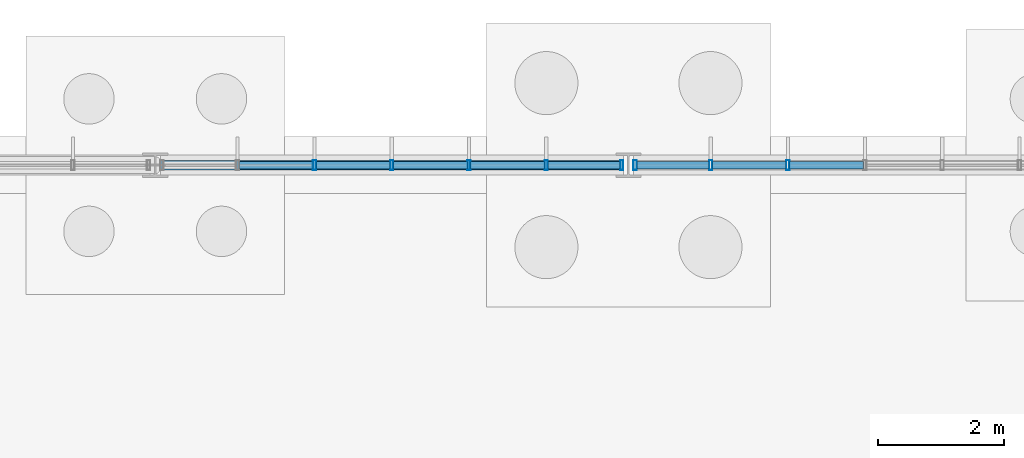
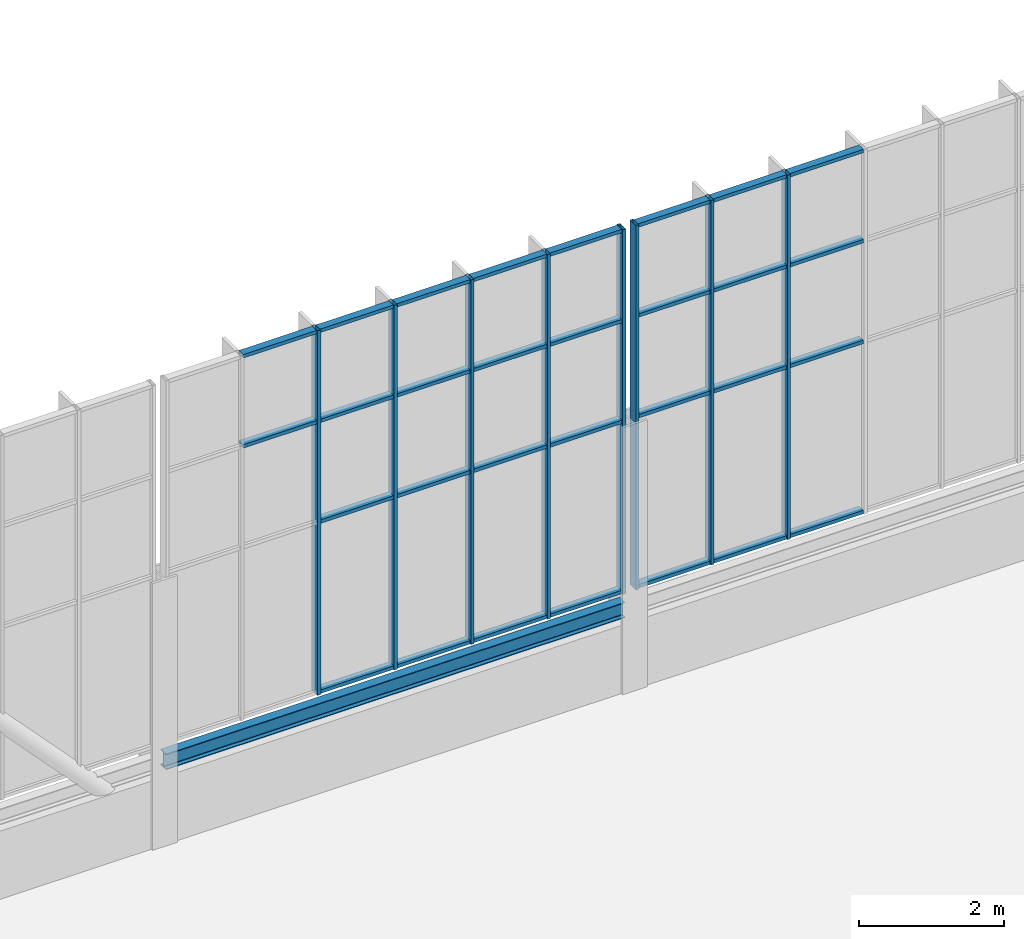
# One storey, part 54 of 136: 38 members, 1 beam, 2 elements without a shape of their own.
"""IFC4 building model written with IfcOpenShell, lengths in metres."""

from ifc_helpers import new_model, si_unit, direction, frame, origin, origin_2d, place, context, subcontext, project, spatial, hollow_rectangle, i_section, extrude, material, layer, layer_set, material_profile, profile_set, type_object, element, aggregate, save


model = new_model("IFC4")

# Units and contexts
model_context = context("Model", 3, precision=1e-05, world=origin(), true_north=direction((0.0, 1.0)))
body_context = subcontext(model_context, "Body", "Model", "MODEL_VIEW")
ifc_project = project(units=[si_unit("LENGTHUNIT", "METRE"), si_unit("AREAUNIT", "SQUARE_METRE"), si_unit("VOLUMEUNIT", "CUBIC_METRE"), si_unit("PLANEANGLEUNIT", "RADIAN"), si_unit("MASSUNIT", "GRAM", prefix="KILO")], contexts=[model_context])

# Site, building, storey
site_placement = place(None, origin())
site = spatial("IfcSite", under=ifc_project, at=site_placement, CompositionType="ELEMENT")
building_placement = place(site_placement, origin())
building = spatial("IfcBuilding", under=site, at=building_placement, Name="Solvenia Promenade Tram Depot", CompositionType="ELEMENT")
storey_placement = place(building_placement, origin())
storey = spatial("IfcBuildingStorey", under=building, at=storey_placement, Name="L00", CompositionType="ELEMENT", Elevation=0.0)

# Curtain wall, members
ifc_material_1 = material(Name="Anodized aluminium AW-6063 T6", Category="aluminium")
ifc_layer = layer(ifc_material_1, 0.159912109375, Name="Anodized aluminium AW-6063 T6", Category="aluminium")
ifc_layer_set = layer_set([ifc_layer], Name="Anodized aluminium AW-6063 T6")
curtain_wall_type = type_object("IfcCurtainWallType", Name="CW-Channel-1200", PredefinedType="NOTDEFINED", material=ifc_layer_set)
curtain_wall_1_placement = place(storey_placement, origin())
curtain_wall_1 = element("IfcCurtainWall", 1, at=curtain_wall_1_placement, inside=storey, type_object=curtain_wall_type, Name="North Translucent Channel-Glass Wall 02", PredefinedType="NOTDEFINED")
ifc_material_profile_1 = material_profile(ifc_material_1, hollow_rectangle(XDim=0.159912109375, YDim=0.052001953125, WallThickness=0.00390625, at=origin_2d()), Name="ALU-M1", Category="aluminium")
ifc_profile_set_1 = profile_set([ifc_material_profile_1], Name="Anodized aluminium AW-6063 T6")
member_type_1 = type_object("IfcMemberType", Name="CWM-Mullion-1", PredefinedType="MULLION", material=ifc_profile_set_1)
member_1_placement = place(storey_placement, frame((10.026611328125, 126.0, 1.60009765625), z_axis=(0.0, 0.0, 1.0), x_axis=(0.0, 1.0, 0.0)))
member_1 = element("IfcMember", 2, at=member_1_placement, type_object=member_type_1, Name="CW-1 mullion 3", PredefinedType="MULLION", context=body_context, shape_type="SweptSolid", body=[
    extrude(hollow_rectangle(XDim=0.159912109375, YDim=0.052001953125, WallThickness=0.00390625, at=origin_2d()), origin(), (0.0, 0.0, 1.0), 6.14990234375),
])
member_2_placement = place(storey_placement, frame((11.25, 126.0, 1.60009765625), z_axis=(0.0, 0.0, 1.0), x_axis=(0.0, 1.0, 0.0)))
member_2 = element("IfcMember", 3, at=member_2_placement, type_object=member_type_1, Name="CW-1 mullion 4", PredefinedType="MULLION", context=body_context, shape_type="SweptSolid", body=[
    extrude(hollow_rectangle(XDim=0.159912109375, YDim=0.052001953125, WallThickness=0.00390625, at=origin_2d()), origin(), (0.0, 0.0, 1.0), 6.14990234375),
])
member_3_placement = place(storey_placement, frame((12.473388671875, 126.0, 1.60009765625), z_axis=(0.0, 0.0, 1.0), x_axis=(0.0, 1.0, 0.0)))
member_3 = element("IfcMember", 4, at=member_3_placement, type_object=member_type_1, Name="CW-1 mullion 5", PredefinedType="MULLION", context=body_context, shape_type="SweptSolid", body=[
    extrude(hollow_rectangle(XDim=0.159912109375, YDim=0.052001953125, WallThickness=0.00390625, at=origin_2d()), origin(), (0.0, 0.0, 1.0), 6.14990234375),
])
member_4_placement = place(storey_placement, frame((13.69677734375, 126.0, 1.60009765625), z_axis=(0.0, 0.0, 1.0), x_axis=(0.0, 1.0, 0.0)))
member_4 = element("IfcMember", 5, at=member_4_placement, type_object=member_type_1, Name="CW-1 mullion 6", PredefinedType="MULLION", context=body_context, shape_type="SweptSolid", body=[
    extrude(hollow_rectangle(XDim=0.159912109375, YDim=0.052001953125, WallThickness=0.00390625, at=origin_2d()), origin(), (0.0, 0.0, 1.0), 6.14990234375),
])
member_5_placement = place(storey_placement, frame((14.89404296875, 126.0, 1.60009765625), z_axis=(0.0, 0.0, 1.0), x_axis=(0.0, 1.0, 0.0)))
member_5 = element("IfcMember", 6, at=member_5_placement, type_object=member_type_1, Name="CW-1 mullion 7", PredefinedType="MULLION", context=body_context, shape_type="SweptSolid", body=[
    extrude(hollow_rectangle(XDim=0.159912109375, YDim=0.052001953125, WallThickness=0.00390625, at=origin_2d()), origin(), (0.0, 0.0, 1.0), 6.14990234375),
])

curtain_wall_2_placement = place(storey_placement, origin())
curtain_wall_2 = element("IfcCurtainWall", 7, at=curtain_wall_2_placement, inside=storey, type_object=curtain_wall_type, Name="North Translucent Channel-Glass Wall 03", PredefinedType="NOTDEFINED")
member_6_placement = place(storey_placement, frame((15.10595703125, 126.0, 1.60009765625), z_axis=(0.0, 0.0, 1.0), x_axis=(0.0, 1.0, 0.0)))
member_6 = element("IfcMember", 8, at=member_6_placement, type_object=member_type_1, Name="CW-1 mullion 1", PredefinedType="MULLION", context=body_context, shape_type="SweptSolid", body=[
    extrude(hollow_rectangle(XDim=0.159912109375, YDim=0.052001953125, WallThickness=0.00390625, at=origin_2d()), origin(), (0.0, 0.0, 1.0), 6.14990234375),
])
member_7_placement = place(storey_placement, frame((16.30322265625, 126.0, 1.60009765625), z_axis=(0.0, 0.0, 1.0), x_axis=(0.0, 1.0, 0.0)))
member_7 = element("IfcMember", 9, at=member_7_placement, type_object=member_type_1, Name="CW-1 mullion 2", PredefinedType="MULLION", context=body_context, shape_type="SweptSolid", body=[
    extrude(hollow_rectangle(XDim=0.159912109375, YDim=0.052001953125, WallThickness=0.00390625, at=origin_2d()), origin(), (0.0, 0.0, 1.0), 6.14990234375),
])
member_8_placement = place(storey_placement, frame((17.526611328125, 126.0, 1.60009765625), z_axis=(0.0, 0.0, 1.0), x_axis=(0.0, 1.0, 0.0)))
member_8 = element("IfcMember", 10, at=member_8_placement, type_object=member_type_1, Name="CW-1 mullion 3", PredefinedType="MULLION", context=body_context, shape_type="SweptSolid", body=[
    extrude(hollow_rectangle(XDim=0.159912109375, YDim=0.052001953125, WallThickness=0.00390625, at=origin_2d()), origin(), (0.0, 0.0, 1.0), 6.14990234375),
])

# Member
ifc_material_profile_2 = material_profile(ifc_material_1, hollow_rectangle(XDim=0.1201171875, YDim=0.06005859375, WallThickness=0.00390625, at=origin_2d()), Name="ALU-T1", Category="aluminium")
ifc_profile_set_2 = profile_set([ifc_material_profile_2], Name="Anodized aluminium AW-6063 T6")
member_type_2 = type_object("IfcMemberType", Name="CWT-Transom-1", PredefinedType="USERDEFINED", material=ifc_profile_set_2)
member_9_placement = place(storey_placement, frame((8.829345703125, 126.0, 6.199951171875), z_axis=(1.0, 0.0, 0.0), x_axis=(0.0, 1.0, 0.0)))
member_9 = element("IfcMember", 11, at=member_9_placement, type_object=member_type_2, Name="CW-1 transom 2.3", ObjectType="TRANSOM", PredefinedType="USERDEFINED", context=body_context, shape_type="SweptSolid", body=[
    extrude(hollow_rectangle(XDim=0.1201171875, YDim=0.06005859375, WallThickness=0.00390625, at=origin_2d()), origin(), (0.0, 0.0, 1.0), 1.17138671875),
])

member_10_placement = place(storey_placement, frame((8.829345703125, 126.0, 7.719970703125), z_axis=(1.0, 0.0, 0.0), x_axis=(0.0, 1.0, 0.0)))
member_10 = element("IfcMember", 12, at=member_10_placement, type_object=member_type_2, Name="CW-1 transom 2.4", ObjectType="TRANSOM", PredefinedType="USERDEFINED", context=body_context, shape_type="SweptSolid", body=[
    extrude(hollow_rectangle(XDim=0.1201171875, YDim=0.06005859375, WallThickness=0.00390625, at=origin_2d()), origin(), (0.0, 0.0, 1.0), 1.17138671875),
])

member_11_placement = place(storey_placement, frame((10.052734375, 126.0, 1.6298828125), z_axis=(1.0, 0.0, 0.0), x_axis=(0.0, 1.0, 0.0)))
member_11 = element("IfcMember", 13, at=member_11_placement, type_object=member_type_2, Name="CW-1 transom 3.1", ObjectType="TRANSOM", PredefinedType="USERDEFINED", context=body_context, shape_type="SweptSolid", body=[
    extrude(hollow_rectangle(XDim=0.1201171875, YDim=0.06005859375, WallThickness=0.00390625, at=origin_2d()), origin(), (0.0, 0.0, 1.0), 1.17138671875),
])

member_12_placement = place(storey_placement, frame((10.052734375, 126.0, 4.5), z_axis=(1.0, 0.0, 0.0), x_axis=(0.0, 1.0, 0.0)))
member_12 = element("IfcMember", 14, at=member_12_placement, type_object=member_type_2, Name="CW-1 transom 3.2", ObjectType="TRANSOM", PredefinedType="USERDEFINED", context=body_context, shape_type="SweptSolid", body=[
    extrude(hollow_rectangle(XDim=0.1201171875, YDim=0.06005859375, WallThickness=0.00390625, at=origin_2d()), origin(), (0.0, 0.0, 1.0), 1.17138671875),
])

member_13_placement = place(storey_placement, frame((10.052734375, 126.0, 6.199951171875), z_axis=(1.0, 0.0, 0.0), x_axis=(0.0, 1.0, 0.0)))
member_13 = element("IfcMember", 15, at=member_13_placement, type_object=member_type_2, Name="CW-1 transom 3.3", ObjectType="TRANSOM", PredefinedType="USERDEFINED", context=body_context, shape_type="SweptSolid", body=[
    extrude(hollow_rectangle(XDim=0.1201171875, YDim=0.06005859375, WallThickness=0.00390625, at=origin_2d()), origin(), (0.0, 0.0, 1.0), 1.17138671875),
])

member_14_placement = place(storey_placement, frame((10.052734375, 126.0, 7.719970703125), z_axis=(1.0, 0.0, 0.0), x_axis=(0.0, 1.0, 0.0)))
member_14 = element("IfcMember", 16, at=member_14_placement, type_object=member_type_2, Name="CW-1 transom 3.4", ObjectType="TRANSOM", PredefinedType="USERDEFINED", context=body_context, shape_type="SweptSolid", body=[
    extrude(hollow_rectangle(XDim=0.1201171875, YDim=0.06005859375, WallThickness=0.00390625, at=origin_2d()), origin(), (0.0, 0.0, 1.0), 1.17138671875),
])

member_15_placement = place(storey_placement, frame((11.27587890625, 126.0, 1.6298828125), z_axis=(1.0, 0.0, 0.0), x_axis=(0.0, 1.0, 0.0)))
member_15 = element("IfcMember", 17, at=member_15_placement, type_object=member_type_2, Name="CW-1 transom 4.1", ObjectType="TRANSOM", PredefinedType="USERDEFINED", context=body_context, shape_type="SweptSolid", body=[
    extrude(hollow_rectangle(XDim=0.1201171875, YDim=0.06005859375, WallThickness=0.00390625, at=origin_2d()), origin(), (0.0, 0.0, 1.0), 1.17138671875),
])

member_16_placement = place(storey_placement, frame((11.27587890625, 126.0, 4.5), z_axis=(1.0, 0.0, 0.0), x_axis=(0.0, 1.0, 0.0)))
member_16 = element("IfcMember", 18, at=member_16_placement, type_object=member_type_2, Name="CW-1 transom 4.2", ObjectType="TRANSOM", PredefinedType="USERDEFINED", context=body_context, shape_type="SweptSolid", body=[
    extrude(hollow_rectangle(XDim=0.1201171875, YDim=0.06005859375, WallThickness=0.00390625, at=origin_2d()), origin(), (0.0, 0.0, 1.0), 1.17138671875),
])

member_17_placement = place(storey_placement, frame((11.27587890625, 126.0, 6.199951171875), z_axis=(1.0, 0.0, 0.0), x_axis=(0.0, 1.0, 0.0)))
member_17 = element("IfcMember", 19, at=member_17_placement, type_object=member_type_2, Name="CW-1 transom 4.3", ObjectType="TRANSOM", PredefinedType="USERDEFINED", context=body_context, shape_type="SweptSolid", body=[
    extrude(hollow_rectangle(XDim=0.1201171875, YDim=0.06005859375, WallThickness=0.00390625, at=origin_2d()), origin(), (0.0, 0.0, 1.0), 1.17138671875),
])

member_18_placement = place(storey_placement, frame((11.27587890625, 126.0, 7.719970703125), z_axis=(1.0, 0.0, 0.0), x_axis=(0.0, 1.0, 0.0)))
member_18 = element("IfcMember", 20, at=member_18_placement, type_object=member_type_2, Name="CW-1 transom 4.4", ObjectType="TRANSOM", PredefinedType="USERDEFINED", context=body_context, shape_type="SweptSolid", body=[
    extrude(hollow_rectangle(XDim=0.1201171875, YDim=0.06005859375, WallThickness=0.00390625, at=origin_2d()), origin(), (0.0, 0.0, 1.0), 1.17138671875),
])

member_19_placement = place(storey_placement, frame((12.499267578125, 126.0, 1.6298828125), z_axis=(1.0, 0.0, 0.0), x_axis=(0.0, 1.0, 0.0)))
member_19 = element("IfcMember", 21, at=member_19_placement, type_object=member_type_2, Name="CW-1 transom 5.1", ObjectType="TRANSOM", PredefinedType="USERDEFINED", context=body_context, shape_type="SweptSolid", body=[
    extrude(hollow_rectangle(XDim=0.1201171875, YDim=0.06005859375, WallThickness=0.00390625, at=origin_2d()), origin(), (0.0, 0.0, 1.0), 1.17138671875),
])

member_20_placement = place(storey_placement, frame((12.499267578125, 126.0, 4.5), z_axis=(1.0, 0.0, 0.0), x_axis=(0.0, 1.0, 0.0)))
member_20 = element("IfcMember", 22, at=member_20_placement, type_object=member_type_2, Name="CW-1 transom 5.2", ObjectType="TRANSOM", PredefinedType="USERDEFINED", context=body_context, shape_type="SweptSolid", body=[
    extrude(hollow_rectangle(XDim=0.1201171875, YDim=0.06005859375, WallThickness=0.00390625, at=origin_2d()), origin(), (0.0, 0.0, 1.0), 1.17138671875),
])

member_21_placement = place(storey_placement, frame((12.499267578125, 126.0, 6.199951171875), z_axis=(1.0, 0.0, 0.0), x_axis=(0.0, 1.0, 0.0)))
member_21 = element("IfcMember", 23, at=member_21_placement, type_object=member_type_2, Name="CW-1 transom 5.3", ObjectType="TRANSOM", PredefinedType="USERDEFINED", context=body_context, shape_type="SweptSolid", body=[
    extrude(hollow_rectangle(XDim=0.1201171875, YDim=0.06005859375, WallThickness=0.00390625, at=origin_2d()), origin(), (0.0, 0.0, 1.0), 1.17138671875),
])

member_22_placement = place(storey_placement, frame((12.499267578125, 126.0, 7.719970703125), z_axis=(1.0, 0.0, 0.0), x_axis=(0.0, 1.0, 0.0)))
member_22 = element("IfcMember", 24, at=member_22_placement, type_object=member_type_2, Name="CW-1 transom 5.4", ObjectType="TRANSOM", PredefinedType="USERDEFINED", context=body_context, shape_type="SweptSolid", body=[
    extrude(hollow_rectangle(XDim=0.1201171875, YDim=0.06005859375, WallThickness=0.00390625, at=origin_2d()), origin(), (0.0, 0.0, 1.0), 1.17138671875),
])

member_23_placement = place(storey_placement, frame((13.72265625, 126.0, 1.6298828125), z_axis=(1.0, 0.0, 0.0), x_axis=(0.0, 1.0, 0.0)))
member_23 = element("IfcMember", 25, at=member_23_placement, type_object=member_type_2, Name="CW-1 transom 6.1", ObjectType="TRANSOM", PredefinedType="USERDEFINED", context=body_context, shape_type="SweptSolid", body=[
    extrude(hollow_rectangle(XDim=0.1201171875, YDim=0.06005859375, WallThickness=0.00390625, at=origin_2d()), origin(), (0.0, 0.0, 1.0), 1.145263671875),
])

member_24_placement = place(storey_placement, frame((13.72265625, 126.0, 4.5), z_axis=(1.0, 0.0, 0.0), x_axis=(0.0, 1.0, 0.0)))
member_24 = element("IfcMember", 26, at=member_24_placement, type_object=member_type_2, Name="CW-1 transom 6.2", ObjectType="TRANSOM", PredefinedType="USERDEFINED", context=body_context, shape_type="SweptSolid", body=[
    extrude(hollow_rectangle(XDim=0.1201171875, YDim=0.06005859375, WallThickness=0.00390625, at=origin_2d()), origin(), (0.0, 0.0, 1.0), 1.145263671875),
])

member_25_placement = place(storey_placement, frame((13.72265625, 126.0, 6.199951171875), z_axis=(1.0, 0.0, 0.0), x_axis=(0.0, 1.0, 0.0)))
member_25 = element("IfcMember", 27, at=member_25_placement, type_object=member_type_2, Name="CW-1 transom 6.3", ObjectType="TRANSOM", PredefinedType="USERDEFINED", context=body_context, shape_type="SweptSolid", body=[
    extrude(hollow_rectangle(XDim=0.1201171875, YDim=0.06005859375, WallThickness=0.00390625, at=origin_2d()), origin(), (0.0, 0.0, 1.0), 1.145263671875),
])

member_26_placement = place(storey_placement, frame((13.72265625, 126.0, 7.719970703125), z_axis=(1.0, 0.0, 0.0), x_axis=(0.0, 1.0, 0.0)))
member_26 = element("IfcMember", 28, at=member_26_placement, type_object=member_type_2, Name="CW-1 transom 6.4", ObjectType="TRANSOM", PredefinedType="USERDEFINED", context=body_context, shape_type="SweptSolid", body=[
    extrude(hollow_rectangle(XDim=0.1201171875, YDim=0.06005859375, WallThickness=0.00390625, at=origin_2d()), origin(), (0.0, 0.0, 1.0), 1.145263671875),
])

aggregate(curtain_wall_1, [member_1, member_2, member_3, member_4, member_5, member_9, member_10, member_11, member_12, member_13, member_14, member_15, member_16, member_17, member_18, member_19, member_20, member_21, member_22, member_23, member_24, member_25, member_26])

member_27_placement = place(storey_placement, frame((15.132080078125, 126.0, 1.6298828125), z_axis=(1.0, 0.0, 0.0), x_axis=(0.0, 1.0, 0.0)))
member_27 = element("IfcMember", 29, at=member_27_placement, type_object=member_type_2, Name="CW-1 transom 1.1", ObjectType="TRANSOM", PredefinedType="USERDEFINED", context=body_context, shape_type="SweptSolid", body=[
    extrude(hollow_rectangle(XDim=0.1201171875, YDim=0.06005859375, WallThickness=0.00390625, at=origin_2d()), origin(), (0.0, 0.0, 1.0), 1.145263671875),
])

member_28_placement = place(storey_placement, frame((15.132080078125, 126.0, 4.5), z_axis=(1.0, 0.0, 0.0), x_axis=(0.0, 1.0, 0.0)))
member_28 = element("IfcMember", 30, at=member_28_placement, type_object=member_type_2, Name="CW-1 transom 1.2", ObjectType="TRANSOM", PredefinedType="USERDEFINED", context=body_context, shape_type="SweptSolid", body=[
    extrude(hollow_rectangle(XDim=0.1201171875, YDim=0.06005859375, WallThickness=0.00390625, at=origin_2d()), origin(), (0.0, 0.0, 1.0), 1.145263671875),
])

member_29_placement = place(storey_placement, frame((15.132080078125, 126.0, 6.199951171875), z_axis=(1.0, 0.0, 0.0), x_axis=(0.0, 1.0, 0.0)))
member_29 = element("IfcMember", 31, at=member_29_placement, type_object=member_type_2, Name="CW-1 transom 1.3", ObjectType="TRANSOM", PredefinedType="USERDEFINED", context=body_context, shape_type="SweptSolid", body=[
    extrude(hollow_rectangle(XDim=0.1201171875, YDim=0.06005859375, WallThickness=0.00390625, at=origin_2d()), origin(), (0.0, 0.0, 1.0), 1.145263671875),
])

member_30_placement = place(storey_placement, frame((15.132080078125, 126.0, 7.719970703125), z_axis=(1.0, 0.0, 0.0), x_axis=(0.0, 1.0, 0.0)))
member_30 = element("IfcMember", 32, at=member_30_placement, type_object=member_type_2, Name="CW-1 transom 1.4", ObjectType="TRANSOM", PredefinedType="USERDEFINED", context=body_context, shape_type="SweptSolid", body=[
    extrude(hollow_rectangle(XDim=0.1201171875, YDim=0.06005859375, WallThickness=0.00390625, at=origin_2d()), origin(), (0.0, 0.0, 1.0), 1.145263671875),
])

member_31_placement = place(storey_placement, frame((16.329345703125, 126.0, 1.6298828125), z_axis=(1.0, 0.0, 0.0), x_axis=(0.0, 1.0, 0.0)))
member_31 = element("IfcMember", 33, at=member_31_placement, type_object=member_type_2, Name="CW-1 transom 2.1", ObjectType="TRANSOM", PredefinedType="USERDEFINED", context=body_context, shape_type="SweptSolid", body=[
    extrude(hollow_rectangle(XDim=0.1201171875, YDim=0.06005859375, WallThickness=0.00390625, at=origin_2d()), origin(), (0.0, 0.0, 1.0), 1.17138671875),
])

member_32_placement = place(storey_placement, frame((16.329345703125, 126.0, 4.5), z_axis=(1.0, 0.0, 0.0), x_axis=(0.0, 1.0, 0.0)))
member_32 = element("IfcMember", 34, at=member_32_placement, type_object=member_type_2, Name="CW-1 transom 2.2", ObjectType="TRANSOM", PredefinedType="USERDEFINED", context=body_context, shape_type="SweptSolid", body=[
    extrude(hollow_rectangle(XDim=0.1201171875, YDim=0.06005859375, WallThickness=0.00390625, at=origin_2d()), origin(), (0.0, 0.0, 1.0), 1.17138671875),
])

member_33_placement = place(storey_placement, frame((16.329345703125, 126.0, 6.199951171875), z_axis=(1.0, 0.0, 0.0), x_axis=(0.0, 1.0, 0.0)))
member_33 = element("IfcMember", 35, at=member_33_placement, type_object=member_type_2, Name="CW-1 transom 2.3", ObjectType="TRANSOM", PredefinedType="USERDEFINED", context=body_context, shape_type="SweptSolid", body=[
    extrude(hollow_rectangle(XDim=0.1201171875, YDim=0.06005859375, WallThickness=0.00390625, at=origin_2d()), origin(), (0.0, 0.0, 1.0), 1.17138671875),
])

member_34_placement = place(storey_placement, frame((16.329345703125, 126.0, 7.719970703125), z_axis=(1.0, 0.0, 0.0), x_axis=(0.0, 1.0, 0.0)))
member_34 = element("IfcMember", 36, at=member_34_placement, type_object=member_type_2, Name="CW-1 transom 2.4", ObjectType="TRANSOM", PredefinedType="USERDEFINED", context=body_context, shape_type="SweptSolid", body=[
    extrude(hollow_rectangle(XDim=0.1201171875, YDim=0.06005859375, WallThickness=0.00390625, at=origin_2d()), origin(), (0.0, 0.0, 1.0), 1.17138671875),
])

member_35_placement = place(storey_placement, frame((17.552734375, 126.0, 1.6298828125), z_axis=(1.0, 0.0, 0.0), x_axis=(0.0, 1.0, 0.0)))
member_35 = element("IfcMember", 37, at=member_35_placement, type_object=member_type_2, Name="CW-1 transom 3.1", ObjectType="TRANSOM", PredefinedType="USERDEFINED", context=body_context, shape_type="SweptSolid", body=[
    extrude(hollow_rectangle(XDim=0.1201171875, YDim=0.06005859375, WallThickness=0.00390625, at=origin_2d()), origin(), (0.0, 0.0, 1.0), 1.17138671875),
])

member_36_placement = place(storey_placement, frame((17.552734375, 126.0, 4.5), z_axis=(1.0, 0.0, 0.0), x_axis=(0.0, 1.0, 0.0)))
member_36 = element("IfcMember", 38, at=member_36_placement, type_object=member_type_2, Name="CW-1 transom 3.2", ObjectType="TRANSOM", PredefinedType="USERDEFINED", context=body_context, shape_type="SweptSolid", body=[
    extrude(hollow_rectangle(XDim=0.1201171875, YDim=0.06005859375, WallThickness=0.00390625, at=origin_2d()), origin(), (0.0, 0.0, 1.0), 1.17138671875),
])

member_37_placement = place(storey_placement, frame((17.552734375, 126.0, 6.199951171875), z_axis=(1.0, 0.0, 0.0), x_axis=(0.0, 1.0, 0.0)))
member_37 = element("IfcMember", 39, at=member_37_placement, type_object=member_type_2, Name="CW-1 transom 3.3", ObjectType="TRANSOM", PredefinedType="USERDEFINED", context=body_context, shape_type="SweptSolid", body=[
    extrude(hollow_rectangle(XDim=0.1201171875, YDim=0.06005859375, WallThickness=0.00390625, at=origin_2d()), origin(), (0.0, 0.0, 1.0), 1.17138671875),
])

member_38_placement = place(storey_placement, frame((17.552734375, 126.0, 7.719970703125), z_axis=(1.0, 0.0, 0.0), x_axis=(0.0, 1.0, 0.0)))
member_38 = element("IfcMember", 40, at=member_38_placement, type_object=member_type_2, Name="CW-1 transom 3.4", ObjectType="TRANSOM", PredefinedType="USERDEFINED", context=body_context, shape_type="SweptSolid", body=[
    extrude(hollow_rectangle(XDim=0.1201171875, YDim=0.06005859375, WallThickness=0.00390625, at=origin_2d()), origin(), (0.0, 0.0, 1.0), 1.17138671875),
])

aggregate(curtain_wall_2, [member_6, member_7, member_8, member_27, member_28, member_29, member_30, member_31, member_32, member_33, member_34, member_35, member_36, member_37, member_38])

# Beam
ifc_material_2 = material(Name="Structural steel ASTM A992 Gr. 50", Category="steel")
ifc_material_profile_3 = material_profile(ifc_material_2, i_section(OverallWidth=0.14697265625, OverallDepth=0.261962890625, WebThickness=0.006591796875, FlangeThickness=0.01123046875, FilletRadius=0.010009765625, at=origin_2d()), Name="W250x39", Category="steel")
ifc_profile_set_3 = profile_set([ifc_material_profile_3], Name="Structural steel ASTM A992 Gr. 50")
beam_type = type_object("IfcBeamType", Name="Lintel-W250x39", PredefinedType="LINTEL", material=ifc_profile_set_3)
beam_placement = place(storey_placement, frame((7.5849609375, 126.0, 1.319091796875), z_axis=(1.0, 0.0, 0.0), x_axis=(0.0, 1.0, 0.0)))
element("IfcBeam", 41, at=beam_placement, inside=storey, type_object=beam_type, Name="North Plinth Header Beam 2 BM-L00-0935", PredefinedType="LINTEL", context=body_context, shape_type="SweptSolid", body=[
    extrude(i_section(OverallWidth=0.14697265625, OverallDepth=0.261962890625, WebThickness=0.006591796875, FlangeThickness=0.01123046875, FilletRadius=0.010009765625, at=origin_2d()), origin(), (0.0, 0.0, 1.0), 7.330078125),
])

save(model, "model.ifc")
